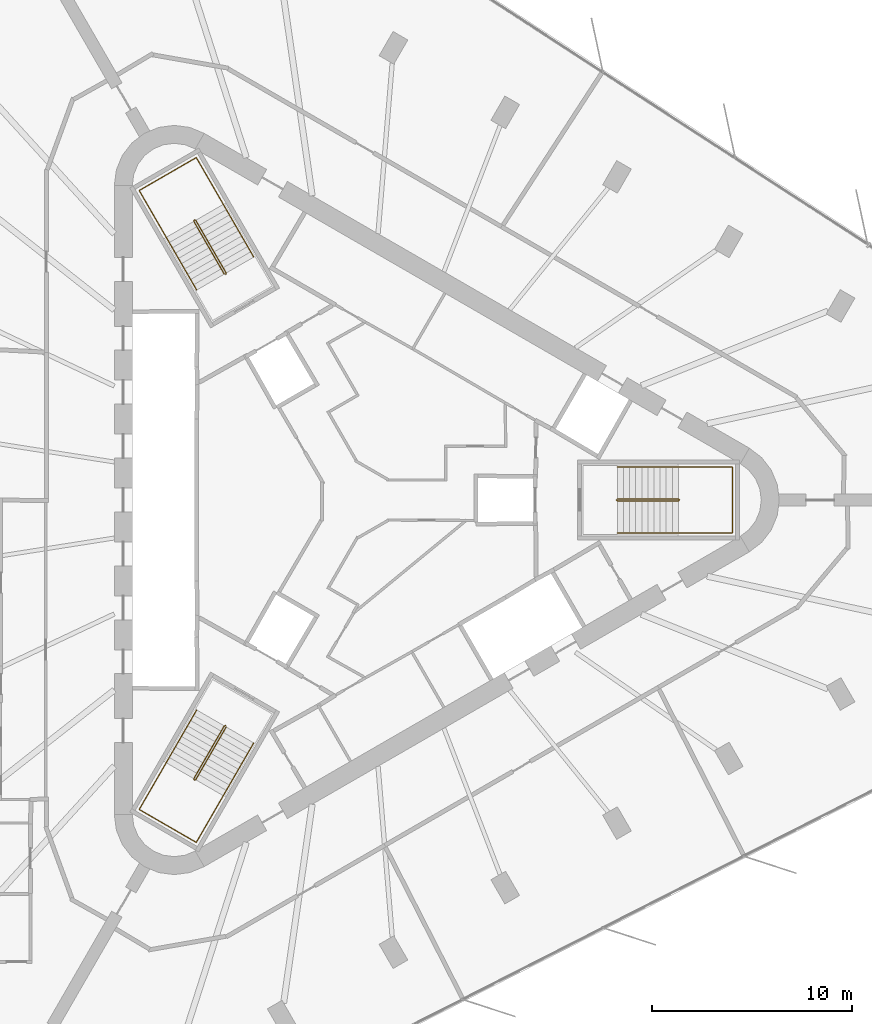
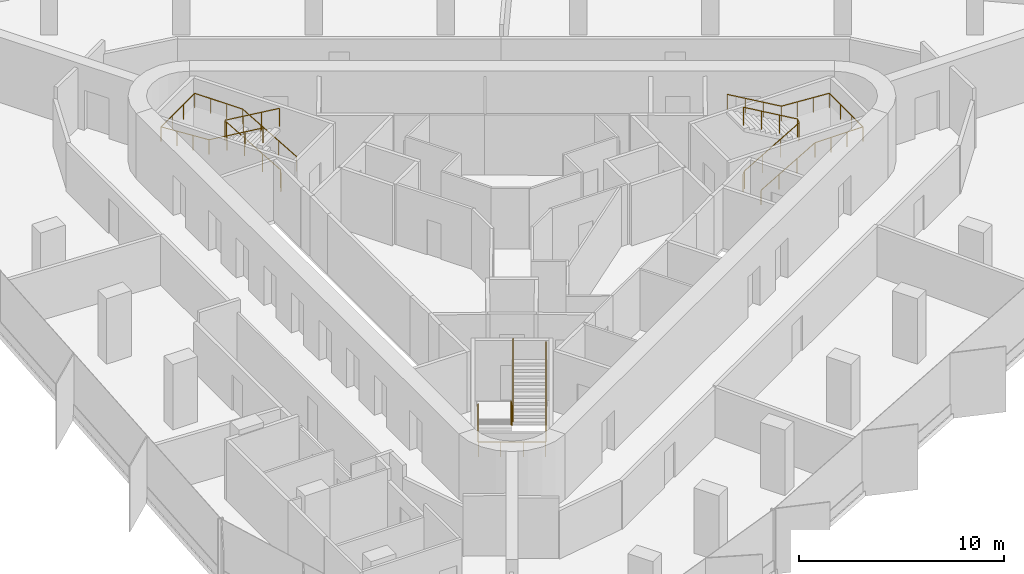
# One storey, part 13 of 13: 6 railings.
"""IFC4 building model written with IfcOpenShell, lengths in metres."""

from ifc_helpers import new_model, si_unit, direction, frame, origin, origin_2d, place, context, subcontext, project, spatial, circle, extrude, material, type_object, element, save


model = new_model("IFC4")

# Units and contexts
model_context = context("Model", 3, precision=1e-05, world=origin(), true_north=direction((0.0, 1.0)))
body_context = subcontext(model_context, "Body", "Model", "MODEL_VIEW")
ifc_project = project(units=[si_unit("LENGTHUNIT", "METRE"), si_unit("AREAUNIT", "SQUARE_METRE"), si_unit("VOLUMEUNIT", "CUBIC_METRE"), si_unit("PLANEANGLEUNIT", "RADIAN"), si_unit("MASSUNIT", "GRAM", prefix="KILO")], contexts=[model_context])

# Site, building, storey
site_placement = place(None, origin())
site = spatial("IfcSite", under=ifc_project, at=site_placement, CompositionType="ELEMENT")
building_placement = place(site_placement, origin())
building = spatial("IfcBuilding", under=site, at=building_placement, Name="Tanit Gate Tower", CompositionType="ELEMENT")
storey_placement = place(building_placement, frame((0.0, 0.0, 318.199951171875)))
storey = spatial("IfcBuildingStorey", under=building, at=storey_placement, Name="L71", CompositionType="ELEMENT", Elevation=318.199951171875)

# Railings
ifc_material_1 = material(Name="Stainless steel balustrade", Category="steel")
railing_type_1 = type_object("IfcRailingType", Name="INT-STAIR-GUARD", PredefinedType="GUARDRAIL", material=ifc_material_1)
railing_1_placement = place(storey_placement, frame((13.044921875, 0.0048828125, 0.0)))
element("IfcRailing", 1, at=railing_1_placement, inside=storey, type_object=railing_type_1, Name="L71 S1 stair guard 1", PredefinedType="GUARDRAIL", context=body_context, shape_type="SweptSolid", body=[
    extrude(circle(Radius=0.02392578125, at=origin_2d()), frame((0.0, 0.0, 1.076171875), z_axis=(0.0, -1.0, 0.0), x_axis=(1.0, 0.0, 0.0)), (0.0, 0.0, 1.0), 0.009765625),
    extrude(circle(Radius=0.02392578125, at=origin_2d()), frame((0.0, -0.009765625, 1.076171875), z_axis=(0.262233686654, -0.262233686654, 0.928691007369), x_axis=(0.707106781187, 0.707106781187, 0.0)), (0.0, 0.0, 1.0), 0.19091796875),
    extrude(circle(Radius=0.02392578125, at=origin_2d()), frame((0.050048828125, -0.059814453125, 1.25341796875), z_axis=(0.864648382064, 0.0, 0.502377522779), x_axis=(0.0, 1.0, 0.0)), (0.0, 0.0, 1.0), 3.528564453125),
    extrude(circle(Radius=0.02392578125, at=origin_2d()), frame((3.10107421875, -0.059814453125, 3.02587890625), z_axis=(0.707106781187, 0.707106781187, 0.0), x_axis=(-0.707106781187, 0.707106781187, 0.0)), (0.0, 0.0, 1.0), 0.07080078125),
    extrude(circle(Radius=0.02392578125, at=origin_2d()), frame((3.151123046875, -0.009765625, 3.02587890625), z_axis=(0.0, 1.0, 0.0), x_axis=(-1.0, 0.0, 0.0)), (0.0, 0.0, 1.0), 0.009765625),
    extrude(circle(Radius=0.02392578125, at=origin_2d()), frame((3.151123046875, 0.0, 3.02587890625), z_axis=(-0.261922500866, 0.261922500866, 0.928866625022), x_axis=(-0.707106781187, -0.707106781187, 0.0)), (0.0, 0.0, 1.0), 0.191162109375),
    extrude(circle(Radius=0.02392578125, at=origin_2d()), frame((3.10107421875, 0.050048828125, 3.20361328125), z_axis=(-0.864648382064, 0.0, 0.502377522779), x_axis=(0.0, -1.0, 0.0)), (0.0, 0.0, 1.0), 3.528564453125),
    extrude(circle(Radius=0.02099609375, at=origin_2d()), origin(), (0.0, 0.0, 1.0), 1.052001953125),
    extrude(circle(Radius=0.02099609375, at=origin_2d()), frame((0.0, -0.009765625, 0.0)), (0.0, 0.0, 1.0), 1.052001953125),
    extrude(circle(Radius=0.02099609375, at=origin_2d()), frame((0.050048828125, -0.059814453125, 0.17724609375)), (0.0, 0.0, 1.0), 1.052001953125),
    extrude(circle(Radius=0.02099609375, at=origin_2d()), frame((1.067138671875, -0.059814453125, 0.76806640625)), (0.0, 0.0, 1.0), 1.052001953125),
    extrude(circle(Radius=0.02099609375, at=origin_2d()), frame((2.083984375, -0.059814453125, 1.359130859375)), (0.0, 0.0, 1.0), 1.052001953125),
    extrude(circle(Radius=0.02099609375, at=origin_2d()), frame((3.10107421875, -0.059814453125, 1.949951171875)), (0.0, 0.0, 1.0), 1.052001953125),
    extrude(circle(Radius=0.02099609375, at=origin_2d()), frame((3.151123046875, -0.009765625, 1.949951171875)), (0.0, 0.0, 1.0), 1.052001953125),
    extrude(circle(Radius=0.02099609375, at=origin_2d()), frame((3.151123046875, 0.0, 1.949951171875)), (0.0, 0.0, 1.0), 1.052001953125),
    extrude(circle(Radius=0.02099609375, at=origin_2d()), frame((3.10107421875, 0.050048828125, 2.12744140625)), (0.0, 0.0, 1.0), 1.052001953125),
    extrude(circle(Radius=0.02099609375, at=origin_2d()), frame((2.083984375, 0.050048828125, 2.71826171875)), (0.0, 0.0, 1.0), 1.052001953125),
    extrude(circle(Radius=0.02099609375, at=origin_2d()), frame((1.067138671875, 0.050048828125, 3.309326171875)), (0.0, 0.0, 1.0), 1.052001953125),
    extrude(circle(Radius=0.02099609375, at=origin_2d()), frame((0.050048828125, 0.050048828125, 3.900146484375)), (0.0, 0.0, 1.0), 1.052001953125),
])
railing_2_placement = place(storey_placement, frame((-6.527099609375, 11.29345703125, 0.0)))
element("IfcRailing", 2, at=railing_2_placement, inside=storey, type_object=railing_type_1, Name="L71 S2 stair guard 1", PredefinedType="GUARDRAIL", context=body_context, shape_type="SweptSolid", body=[
    extrude(circle(Radius=0.02392578125, at=origin_2d()), frame((0.0, 0.0, 1.076171875), z_axis=(0.868243142124, 0.496138938357, 0.0), x_axis=(-0.496138938357, 0.868243142124, 0.0)), (0.0, 0.0, 1.0), 0.01171875),
    extrude(circle(Radius=0.02392578125, at=origin_2d()), frame((0.01025390625, 0.005859375, 1.076171875), z_axis=(0.095941116058, 0.358180166617, 0.928710003441), x_axis=(-0.965948051503, 0.258736085224, 0.0)), (0.0, 0.0, 1.0), 0.19091796875),
    extrude(circle(Radius=0.02392578125, at=origin_2d()), frame((0.028564453125, 0.07421875, 1.25341796875), z_axis=(-0.4322777601, 0.748681545756, 0.50260509465), x_axis=(-0.866012246495, -0.500022788402, 0.0)), (0.0, 0.0, 1.0), 3.527099609375),
    extrude(circle(Radius=0.02392578125, at=origin_2d()), frame((-1.49609375, 2.71484375, 3.02587890625), z_axis=(-0.965715946433, 0.259601060869, 0.0), x_axis=(-0.259601060869, -0.965715946433, 0.0)), (0.0, 0.0, 1.0), 0.070556640625),
    extrude(circle(Radius=0.02392578125, at=origin_2d()), frame((-1.564208984375, 2.733154296875, 3.02587890625), z_axis=(-0.873197702015, -0.487366159264, 0.0), x_axis=(0.487366159264, -0.873197702015, 0.0)), (0.0, 0.0, 1.0), 0.011962890625),
    extrude(circle(Radius=0.02392578125, at=origin_2d()), frame((-1.57470703125, 2.727294921875, 3.02587890625), z_axis=(-0.095827260621, -0.357755106318, 0.928885579619), x_axis=(0.965948051503, -0.258736085224, 0.0)), (0.0, 0.0, 1.0), 0.191162109375),
    extrude(circle(Radius=0.02392578125, at=origin_2d()), frame((-1.593017578125, 2.658935546875, 3.20361328125), z_axis=(0.4322777601, -0.748681545756, 0.50260509465), x_axis=(0.866012246495, 0.500022788402, 0.0)), (0.0, 0.0, 1.0), 3.527099609375),
    extrude(circle(Radius=0.02099609375, at=origin_2d()), origin(), (0.0, 0.0, 1.0), 1.052001953125),
    extrude(circle(Radius=0.02099609375, at=origin_2d()), frame((0.01025390625, 0.005859375, 0.0)), (0.0, 0.0, 1.0), 1.052001953125),
    extrude(circle(Radius=0.02099609375, at=origin_2d()), frame((0.028564453125, 0.07421875, 0.17724609375)), (0.0, 0.0, 1.0), 1.052001953125),
    extrude(circle(Radius=0.02099609375, at=origin_2d()), frame((-0.479736328125, 0.954345703125, 0.76806640625)), (0.0, 0.0, 1.0), 1.052001953125),
    extrude(circle(Radius=0.02099609375, at=origin_2d()), frame((-0.98779296875, 1.834716796875, 1.359130859375)), (0.0, 0.0, 1.0), 1.052001953125),
    extrude(circle(Radius=0.02099609375, at=origin_2d()), frame((-1.49609375, 2.71484375, 1.949951171875)), (0.0, 0.0, 1.0), 1.052001953125),
    extrude(circle(Radius=0.02099609375, at=origin_2d()), frame((-1.564208984375, 2.733154296875, 1.949951171875)), (0.0, 0.0, 1.0), 1.052001953125),
    extrude(circle(Radius=0.02099609375, at=origin_2d()), frame((-1.57470703125, 2.727294921875, 1.949951171875)), (0.0, 0.0, 1.0), 1.052001953125),
    extrude(circle(Radius=0.02099609375, at=origin_2d()), frame((-1.593017578125, 2.658935546875, 2.12744140625)), (0.0, 0.0, 1.0), 1.052001953125),
    extrude(circle(Radius=0.02099609375, at=origin_2d()), frame((-1.084716796875, 1.77880859375, 2.71826171875)), (0.0, 0.0, 1.0), 1.052001953125),
    extrude(circle(Radius=0.02099609375, at=origin_2d()), frame((-0.57666015625, 0.8984375, 3.309326171875)), (0.0, 0.0, 1.0), 1.052001953125),
    extrude(circle(Radius=0.02099609375, at=origin_2d()), frame((-0.068359375, 0.018310546875, 3.900146484375)), (0.0, 0.0, 1.0), 1.052001953125),
])
railing_3_placement = place(storey_placement, frame((-6.51806640625, -11.2998046875, 0.0)))
element("IfcRailing", 3, at=railing_3_placement, inside=storey, type_object=railing_type_1, Name="L71 S3 stair guard 1", PredefinedType="GUARDRAIL", context=body_context, shape_type="SweptSolid", body=[
    extrude(circle(Radius=0.02392578125, at=origin_2d()), frame((0.0, 0.0, 1.076171875), z_axis=(-0.874157276122, 0.485642931179, 0.0), x_axis=(-0.485642931179, -0.874157276122, 0.0)), (0.0, 0.0, 1.0), 0.010009765625),
    extrude(circle(Radius=0.02392578125, at=origin_2d()), frame((-0.0087890625, 0.0048828125, 1.076171875), z_axis=(-0.358223840744, -0.094673443625, 0.928823244215), x_axis=(0.255512919477, -0.966805641264, 0.0)), (0.0, 0.0, 1.0), 0.19091796875),
    extrude(circle(Radius=0.02392578125, at=origin_2d()), frame((-0.0771484375, -0.01318359375, 1.25341796875), z_axis=(-0.432289778901, -0.748827189027, 0.502377734411), x_axis=(0.866048339477, -0.499960272111, 0.0)), (0.0, 0.0, 1.0), 3.528564453125),
    extrude(circle(Radius=0.02392578125, at=origin_2d()), frame((-1.6025390625, -2.655517578125, 3.02587890625), z_axis=(0.258736085224, -0.965948051503, 0.0), x_axis=(0.965948051503, 0.258736085224, 0.0)), (0.0, 0.0, 1.0), 0.07080078125),
    extrude(circle(Radius=0.02392578125, at=origin_2d()), frame((-1.584228515625, -2.723876953125, 3.02587890625), z_axis=(0.868243142124, -0.496138938357, 0.0), x_axis=(0.496138938357, 0.868243142124, 0.0)), (0.0, 0.0, 1.0), 0.009765625),
    extrude(circle(Radius=0.02392578125, at=origin_2d()), frame((-1.57568359375, -2.728759765625, 3.02587890625), z_axis=(0.357755106318, 0.095827260621, 0.928885579619), x_axis=(-0.258736085224, 0.965948051503, 0.0)), (0.0, 0.0, 1.0), 0.191162109375),
    extrude(circle(Radius=0.02392578125, at=origin_2d()), frame((-1.50732421875, -2.71044921875, 3.20361328125), z_axis=(0.432368434633, 0.748774395838, 0.502388734816), x_axis=(-0.865993683553, 0.500054937028, 0.0)), (0.0, 0.0, 1.0), 3.528564453125),
    extrude(circle(Radius=0.02099609375, at=origin_2d()), origin(), (0.0, 0.0, 1.0), 1.052001953125),
    extrude(circle(Radius=0.02099609375, at=origin_2d()), frame((-0.0087890625, 0.0048828125, 0.0)), (0.0, 0.0, 1.0), 1.052001953125),
    extrude(circle(Radius=0.02099609375, at=origin_2d()), frame((-0.0771484375, -0.01318359375, 0.17724609375)), (0.0, 0.0, 1.0), 1.052001953125),
    extrude(circle(Radius=0.02099609375, at=origin_2d()), frame((-0.585693359375, -0.89404296875, 0.76806640625)), (0.0, 0.0, 1.0), 1.052001953125),
    extrude(circle(Radius=0.02099609375, at=origin_2d()), frame((-1.093994140625, -1.774658203125, 1.359130859375)), (0.0, 0.0, 1.0), 1.052001953125),
    extrude(circle(Radius=0.02099609375, at=origin_2d()), frame((-1.6025390625, -2.655517578125, 1.949951171875)), (0.0, 0.0, 1.0), 1.052001953125),
    extrude(circle(Radius=0.02099609375, at=origin_2d()), frame((-1.584228515625, -2.723876953125, 1.949951171875)), (0.0, 0.0, 1.0), 1.052001953125),
    extrude(circle(Radius=0.02099609375, at=origin_2d()), frame((-1.57568359375, -2.728759765625, 1.949951171875)), (0.0, 0.0, 1.0), 1.052001953125),
    extrude(circle(Radius=0.02099609375, at=origin_2d()), frame((-1.50732421875, -2.71044921875, 2.12744140625)), (0.0, 0.0, 1.0), 1.052001953125),
    extrude(circle(Radius=0.02099609375, at=origin_2d()), frame((-0.998779296875, -1.829833984375, 2.71826171875)), (0.0, 0.0, 1.0), 1.052001953125),
    extrude(circle(Radius=0.02099609375, at=origin_2d()), frame((-0.490234375, -0.948974609375, 3.309326171875)), (0.0, 0.0, 1.0), 1.052001953125),
    extrude(circle(Radius=0.02099609375, at=origin_2d()), frame((0.018310546875, -0.068359375, 3.900146484375)), (0.0, 0.0, 1.0), 1.052001953125),
])
ifc_material_2 = material(Name="Stainless steel handrail", Category="steel")
railing_type_2 = type_object("IfcRailingType", Name="INT-STAIR-HANDRAIL", PredefinedType="HANDRAIL", material=ifc_material_2)
railing_4_placement = place(storey_placement, frame((13.094970703125, -1.64990234375, 0.17724609375)))
element("IfcRailing", 4, at=railing_4_placement, inside=storey, type_object=railing_type_2, Name="L71 S1 stair handrail 1", PredefinedType="HANDRAIL", context=body_context, shape_type="SweptSolid", body=[
    extrude(circle(Radius=0.02392578125, at=origin_2d()), frame((0.0, 0.0, 0.8759765625), z_axis=(0.864648382064, 0.0, 0.502377522779), x_axis=(0.0, 1.0, 0.0)), (0.0, 0.0, 1.0), 3.528564453125),
    extrude(circle(Radius=0.02392578125, at=origin_2d()), frame((3.051025390625, 0.0, 2.6484375), z_axis=(1.0, 0.0, 0.0), x_axis=(0.0, 1.0, 0.0)), (0.0, 0.0, 1.0), 2.7041015625),
    extrude(circle(Radius=0.02392578125, at=origin_2d()), frame((5.755126953125, 0.0, 2.6484375), z_axis=(0.0, 1.0, 0.0), x_axis=(-1.0, 0.0, 0.0)), (0.0, 0.0, 1.0), 3.2998046875),
    extrude(circle(Radius=0.02392578125, at=origin_2d()), frame((5.755126953125, 3.2998046875, 2.6484375), z_axis=(-0.997852800478, 0.0, 0.065496477604), x_axis=(0.0, -1.0, 0.0)), (0.0, 0.0, 1.0), 2.7099609375),
    extrude(circle(Radius=0.02392578125, at=origin_2d()), frame((3.051025390625, 3.2998046875, 2.826171875), z_axis=(-0.864648382064, 0.0, 0.502377522779), x_axis=(0.0, -1.0, 0.0)), (0.0, 0.0, 1.0), 3.528564453125),
    extrude(circle(Radius=0.02099609375, at=origin_2d()), origin(), (0.0, 0.0, 1.0), 0.851806640625),
    extrude(circle(Radius=0.02099609375, at=origin_2d()), frame((1.01708984375, 0.0, 0.5908203125)), (0.0, 0.0, 1.0), 0.851806640625),
    extrude(circle(Radius=0.02099609375, at=origin_2d()), frame((2.033935546875, 0.0, 1.181884765625)), (0.0, 0.0, 1.0), 0.851806640625),
    extrude(circle(Radius=0.02099609375, at=origin_2d()), frame((3.051025390625, 0.0, 1.772705078125)), (0.0, 0.0, 1.0), 0.851806640625),
    extrude(circle(Radius=0.02099609375, at=origin_2d()), frame((3.952392578125, 0.0, 1.772705078125)), (0.0, 0.0, 1.0), 0.851806640625),
    extrude(circle(Radius=0.02099609375, at=origin_2d()), frame((4.853759765625, 0.0, 1.772705078125)), (0.0, 0.0, 1.0), 0.851806640625),
    extrude(circle(Radius=0.02099609375, at=origin_2d()), frame((5.755126953125, 0.0, 1.772705078125)), (0.0, 0.0, 1.0), 0.851806640625),
    extrude(circle(Radius=0.02099609375, at=origin_2d()), frame((5.755126953125, 1.099853515625, 1.772705078125)), (0.0, 0.0, 1.0), 0.851806640625),
    extrude(circle(Radius=0.02099609375, at=origin_2d()), frame((5.755126953125, 2.199951171875, 1.772705078125)), (0.0, 0.0, 1.0), 0.851806640625),
    extrude(circle(Radius=0.02099609375, at=origin_2d()), frame((5.755126953125, 3.2998046875, 1.772705078125)), (0.0, 0.0, 1.0), 0.851806640625),
    extrude(circle(Radius=0.02099609375, at=origin_2d()), frame((4.853759765625, 3.2998046875, 1.831787109375)), (0.0, 0.0, 1.0), 0.851806640625),
    extrude(circle(Radius=0.02099609375, at=origin_2d()), frame((3.952392578125, 3.2998046875, 1.89111328125)), (0.0, 0.0, 1.0), 0.851806640625),
    extrude(circle(Radius=0.02099609375, at=origin_2d()), frame((3.051025390625, 3.2998046875, 1.9501953125)), (0.0, 0.0, 1.0), 0.851806640625),
    extrude(circle(Radius=0.02099609375, at=origin_2d()), frame((2.033935546875, 3.2998046875, 2.541015625)), (0.0, 0.0, 1.0), 0.851806640625),
    extrude(circle(Radius=0.02099609375, at=origin_2d()), frame((1.01708984375, 3.2998046875, 3.132080078125)), (0.0, 0.0, 1.0), 0.851806640625),
    extrude(circle(Radius=0.02099609375, at=origin_2d()), frame((0.0, 3.2998046875, 3.722900390625)), (0.0, 0.0, 1.0), 0.851806640625),
])
railing_5_placement = place(storey_placement, frame((-5.1181640625, 12.164794921875, 0.17724609375)))
element("IfcRailing", 5, at=railing_5_placement, inside=storey, type_object=railing_type_2, Name="L71 S2 stair handrail 1", PredefinedType="HANDRAIL", context=body_context, shape_type="SweptSolid", body=[
    extrude(circle(Radius=0.02392578125, at=origin_2d()), frame((0.0, 0.0, 0.8759765625), z_axis=(-0.432221472453, 0.748703947157, 0.502620133164), x_axis=(-0.866046917185, -0.499962735845, 0.0)), (0.0, 0.0, 1.0), 3.52685546875),
    extrude(circle(Radius=0.02392578125, at=origin_2d()), frame((-1.5244140625, 2.640625, 2.6484375), z_axis=(-0.500019123664, 0.86601436245, 0.0), x_axis=(-0.86601436245, -0.500019123664, 0.0)), (0.0, 0.0, 1.0), 2.70703125),
    extrude(circle(Radius=0.02392578125, at=origin_2d()), frame((-2.8779296875, 4.98486328125, 2.6484375), z_axis=(-0.866008176907, -0.50002983664, 0.0), x_axis=(0.50002983664, -0.866008176907, 0.0)), (0.0, 0.0, 1.0), 3.300048828125),
    extrude(circle(Radius=0.02392578125, at=origin_2d()), frame((-5.73583984375, 3.334716796875, 2.6484375), z_axis=(0.498986523186, -0.864135932379, 0.065433478058), x_axis=(0.865991810323, 0.500058181068, 0.0)), (0.0, 0.0, 1.0), 2.712646484375),
    extrude(circle(Radius=0.02392578125, at=origin_2d()), frame((-4.38232421875, 0.99072265625, 2.826171875), z_axis=(0.432255358616, -0.748711963836, 0.502579048665), x_axis=(0.866032263162, 0.499988119021, 0.0)), (0.0, 0.0, 1.0), 3.527099609375),
    extrude(circle(Radius=0.02099609375, at=origin_2d()), origin(), (0.0, 0.0, 1.0), 0.851806640625),
    extrude(circle(Radius=0.02099609375, at=origin_2d()), frame((-0.508056640625, 0.880126953125, 0.5908203125)), (0.0, 0.0, 1.0), 0.851806640625),
    extrude(circle(Radius=0.02099609375, at=origin_2d()), frame((-1.016357421875, 1.760498046875, 1.181884765625)), (0.0, 0.0, 1.0), 0.851806640625),
    extrude(circle(Radius=0.02099609375, at=origin_2d()), frame((-1.5244140625, 2.640625, 1.772705078125)), (0.0, 0.0, 1.0), 0.851806640625),
    extrude(circle(Radius=0.02099609375, at=origin_2d()), frame((-1.9755859375, 3.422119140625, 1.772705078125)), (0.0, 0.0, 1.0), 0.851806640625),
    extrude(circle(Radius=0.02099609375, at=origin_2d()), frame((-2.4267578125, 4.203369140625, 1.772705078125)), (0.0, 0.0, 1.0), 0.851806640625),
    extrude(circle(Radius=0.02099609375, at=origin_2d()), frame((-2.8779296875, 4.98486328125, 1.772705078125)), (0.0, 0.0, 1.0), 0.851806640625),
    extrude(circle(Radius=0.02099609375, at=origin_2d()), frame((-3.83056640625, 4.434814453125, 1.772705078125)), (0.0, 0.0, 1.0), 0.851806640625),
    extrude(circle(Radius=0.02099609375, at=origin_2d()), frame((-4.783203125, 3.884765625, 1.772705078125)), (0.0, 0.0, 1.0), 0.851806640625),
    extrude(circle(Radius=0.02099609375, at=origin_2d()), frame((-5.73583984375, 3.334716796875, 1.772705078125)), (0.0, 0.0, 1.0), 0.851806640625),
    extrude(circle(Radius=0.02099609375, at=origin_2d()), frame((-5.28466796875, 2.553466796875, 1.831787109375)), (0.0, 0.0, 1.0), 0.851806640625),
    extrude(circle(Radius=0.02099609375, at=origin_2d()), frame((-4.83349609375, 1.77197265625, 1.89111328125)), (0.0, 0.0, 1.0), 0.851806640625),
    extrude(circle(Radius=0.02099609375, at=origin_2d()), frame((-4.38232421875, 0.99072265625, 1.9501953125)), (0.0, 0.0, 1.0), 0.851806640625),
    extrude(circle(Radius=0.02099609375, at=origin_2d()), frame((-3.8740234375, 0.1103515625, 2.541015625)), (0.0, 0.0, 1.0), 0.851806640625),
    extrude(circle(Radius=0.02099609375, at=origin_2d()), frame((-3.365966796875, -0.769775390625, 3.132080078125)), (0.0, 0.0, 1.0), 0.851806640625),
    extrude(circle(Radius=0.02099609375, at=origin_2d()), frame((-2.857666015625, -1.650146484375, 3.722900390625)), (0.0, 0.0, 1.0), 0.851806640625),
])
railing_6_placement = place(storey_placement, frame((-7.9765625, -10.515625, 0.17724609375)))
element("IfcRailing", 6, at=railing_6_placement, inside=storey, type_object=railing_type_2, Name="L71 S3 stair handrail 1", PredefinedType="HANDRAIL", context=body_context, shape_type="SweptSolid", body=[
    extrude(circle(Radius=0.02392578125, at=origin_2d()), frame((0.0, 0.0, 0.8759765625), z_axis=(-0.432289778901, -0.748827189027, 0.502377734411), x_axis=(0.866048339477, -0.499960272111, 0.0)), (0.0, 0.0, 1.0), 3.528564453125),
    extrude(circle(Radius=0.02392578125, at=origin_2d()), frame((-1.525390625, -2.642333984375, 2.6484375), z_axis=(-0.50004290449, -0.866000631449, 0.0), x_axis=(0.866000631449, -0.50004290449, 0.0)), (0.0, 0.0, 1.0), 2.703857421875),
    extrude(circle(Radius=0.02392578125, at=origin_2d()), frame((-2.87744140625, -4.98388671875, 2.6484375), z_axis=(0.866008176907, -0.50002983664, 0.0), x_axis=(0.50002983664, 0.866008176907, 0.0)), (0.0, 0.0, 1.0), 3.300048828125),
    extrude(circle(Radius=0.02392578125, at=origin_2d()), frame((-0.01953125, -6.634033203125, 2.6484375), z_axis=(0.498930182534, 0.864163653099, 0.065496974125), x_axis=(-0.866023205937, 0.500003806764, 0.0)), (0.0, 0.0, 1.0), 2.7099609375),
    extrude(circle(Radius=0.02392578125, at=origin_2d()), frame((1.33251953125, -4.292236328125, 2.826171875), z_axis=(0.432289778901, 0.748827189027, 0.502377734411), x_axis=(-0.866048339477, 0.499960272111, 0.0)), (0.0, 0.0, 1.0), 3.528564453125),
    extrude(circle(Radius=0.02099609375, at=origin_2d()), origin(), (0.0, 0.0, 1.0), 0.851806640625),
    extrude(circle(Radius=0.02099609375, at=origin_2d()), frame((-0.508544921875, -0.880859375, 0.5908203125)), (0.0, 0.0, 1.0), 0.851806640625),
    extrude(circle(Radius=0.02099609375, at=origin_2d()), frame((-1.016845703125, -1.761474609375, 1.181884765625)), (0.0, 0.0, 1.0), 0.851806640625),
    extrude(circle(Radius=0.02099609375, at=origin_2d()), frame((-1.525390625, -2.642333984375, 1.772705078125)), (0.0, 0.0, 1.0), 0.851806640625),
    extrude(circle(Radius=0.02099609375, at=origin_2d()), frame((-1.97607421875, -3.4228515625, 1.772705078125)), (0.0, 0.0, 1.0), 0.851806640625),
    extrude(circle(Radius=0.02099609375, at=origin_2d()), frame((-2.4267578125, -4.203369140625, 1.772705078125)), (0.0, 0.0, 1.0), 0.851806640625),
    extrude(circle(Radius=0.02099609375, at=origin_2d()), frame((-2.87744140625, -4.98388671875, 1.772705078125)), (0.0, 0.0, 1.0), 0.851806640625),
    extrude(circle(Radius=0.02099609375, at=origin_2d()), frame((-1.9248046875, -5.533935546875, 1.772705078125)), (0.0, 0.0, 1.0), 0.851806640625),
    extrude(circle(Radius=0.02099609375, at=origin_2d()), frame((-0.97216796875, -6.083984375, 1.772705078125)), (0.0, 0.0, 1.0), 0.851806640625),
    extrude(circle(Radius=0.02099609375, at=origin_2d()), frame((-0.01953125, -6.634033203125, 1.772705078125)), (0.0, 0.0, 1.0), 0.851806640625),
    extrude(circle(Radius=0.02099609375, at=origin_2d()), frame((0.43115234375, -5.853515625, 1.831787109375)), (0.0, 0.0, 1.0), 0.851806640625),
    extrude(circle(Radius=0.02099609375, at=origin_2d()), frame((0.8818359375, -5.07275390625, 1.89111328125)), (0.0, 0.0, 1.0), 0.851806640625),
    extrude(circle(Radius=0.02099609375, at=origin_2d()), frame((1.33251953125, -4.292236328125, 1.9501953125)), (0.0, 0.0, 1.0), 0.851806640625),
    extrude(circle(Radius=0.02099609375, at=origin_2d()), frame((1.841064453125, -3.411376953125, 2.541015625)), (0.0, 0.0, 1.0), 0.851806640625),
    extrude(circle(Radius=0.02099609375, at=origin_2d()), frame((2.349365234375, -2.53076171875, 3.132080078125)), (0.0, 0.0, 1.0), 0.851806640625),
    extrude(circle(Radius=0.02099609375, at=origin_2d()), frame((2.85791015625, -1.64990234375, 3.722900390625)), (0.0, 0.0, 1.0), 0.851806640625),
])

save(model, "model.ifc")
